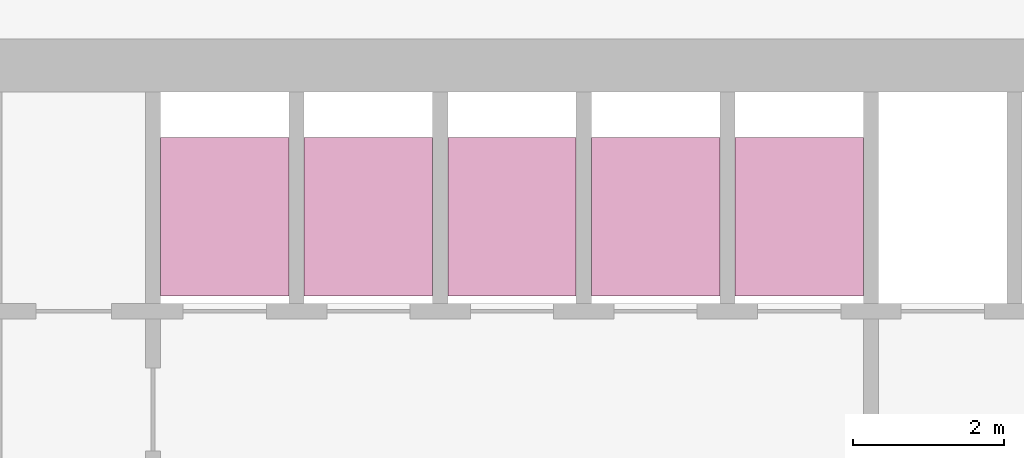
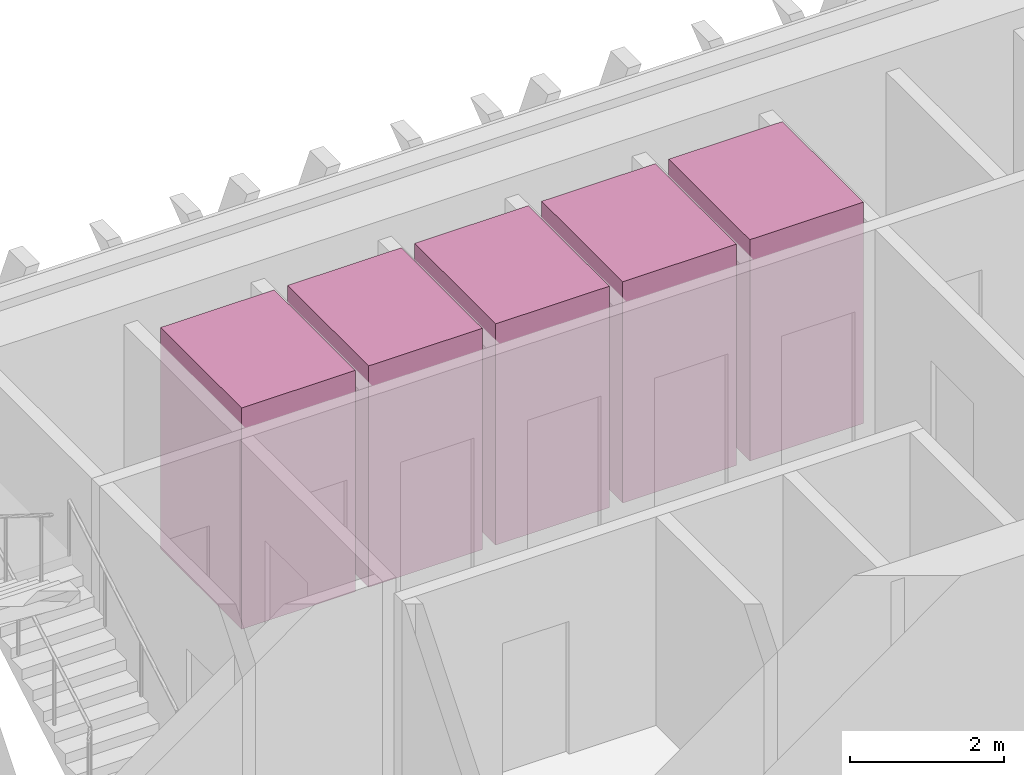
# One storey, part 15 of 15: 5 transport elements.
"""IFC4 building model written with IfcOpenShell, lengths in metres."""

from ifc_helpers import new_model, si_unit, direction, frame, origin, origin_2d, place, context, subcontext, project, spatial, rectangle, extrude, material, type_object, element, save


model = new_model("IFC4")

# Units and contexts
model_context = context("Model", 3, precision=1e-05, world=origin(), true_north=direction((0.0, 1.0)))
body_context = subcontext(model_context, "Body", "Model", "MODEL_VIEW")
ifc_project = project(units=[si_unit("LENGTHUNIT", "METRE"), si_unit("AREAUNIT", "SQUARE_METRE"), si_unit("VOLUMEUNIT", "CUBIC_METRE"), si_unit("PLANEANGLEUNIT", "RADIAN"), si_unit("MASSUNIT", "GRAM", prefix="KILO")], contexts=[model_context])

# Site, building, storey
site_placement = place(None, origin())
site = spatial("IfcSite", under=ifc_project, at=site_placement, CompositionType="ELEMENT")
building_placement = place(site_placement, origin())
building = spatial("IfcBuilding", under=site, at=building_placement, Name="Altiplano Prism Tower", CompositionType="ELEMENT")
storey_placement = place(building_placement, frame((0.0, 0.0, 185.39990234375)))
storey = spatial("IfcBuildingStorey", under=building, at=storey_placement, Name="L48", CompositionType="ELEMENT", Elevation=185.39990234375)

# Transport elements
ifc_material = material(Name="Stainless steel lift car", Category="steel")
transport_element_type = type_object("IfcTransportElementType", Name="Passenger lift car 1600 x 2100", PredefinedType="ELEVATOR", material=ifc_material)
for number, where, z_axis, x_axis, name in (
    (1, (79.050048828125, 101.75, 0.050048828125), (0.0, 0.0, 1.0), (1.0, 0.0, 0.0), "Mid Zone Passenger Lift 1"),
    (2, (80.949951171875, 101.75, 0.050048828125), (0.0, 0.0, 1.0), (1.0, 0.0, 0.0), "Mid Zone Passenger Lift 2"),
    (3, (82.85009765625, 101.75, 0.050048828125), (0.0, 0.0, 1.0), (1.0, 0.0, 0.0), "Mid Zone Passenger Lift 3"),
    (4, (84.75, 101.75, 0.050048828125), (0.0, 0.0, 1.0), (1.0, 0.0, 0.0), "Mid Zone Passenger Lift 4"),
    (5, (86.64990234375, 101.75, 0.050048828125), (0.0, 0.0, 1.0), (1.0, 0.0, 0.0), "Mid Zone Passenger Lift 5"),
):
    element("IfcTransportElement", number, at=place(storey_placement, frame(where, z_axis=z_axis, x_axis=x_axis)), inside=storey, type_object=transport_element_type, Name=name, PredefinedType="ELEVATOR", context=body_context, shape_type="SweptSolid", body=[
        extrude(rectangle(XDim=1.699951171875, YDim=2.10009765625, at=origin_2d()), origin(), (0.0, 0.0, 1.0), 3.5),
    ])

save(model, "model.ifc")
